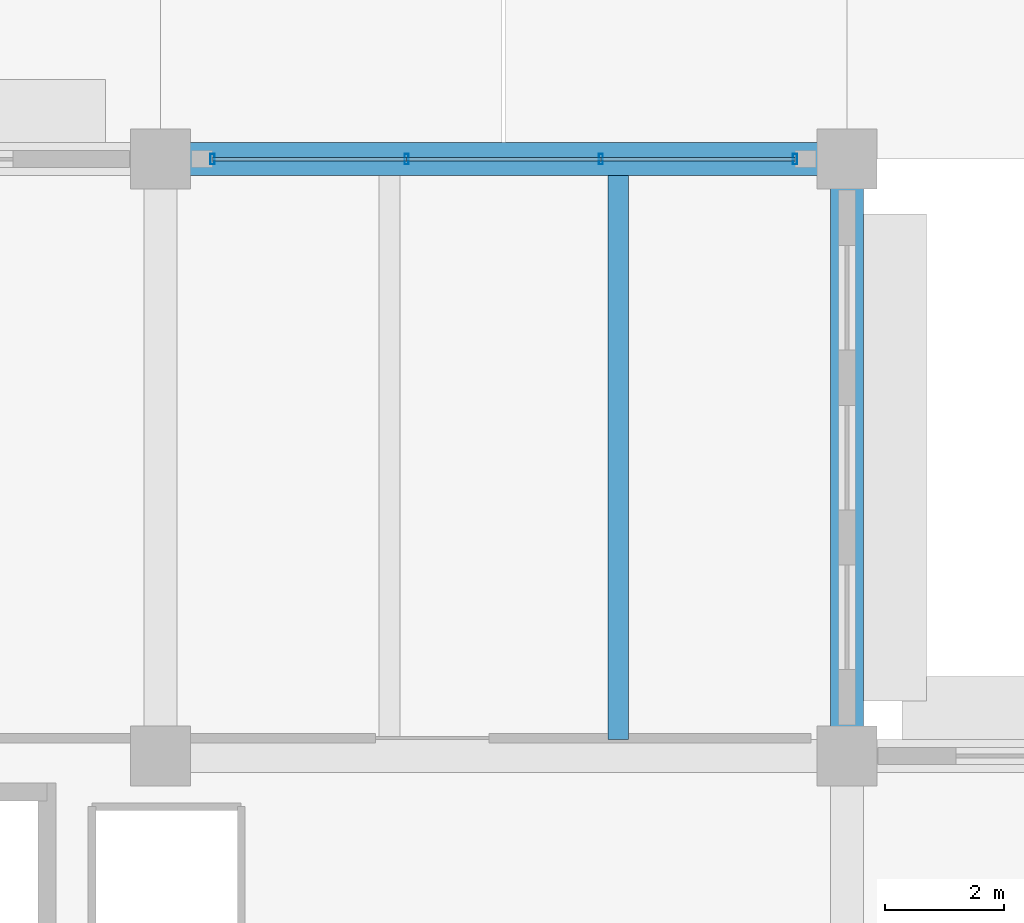
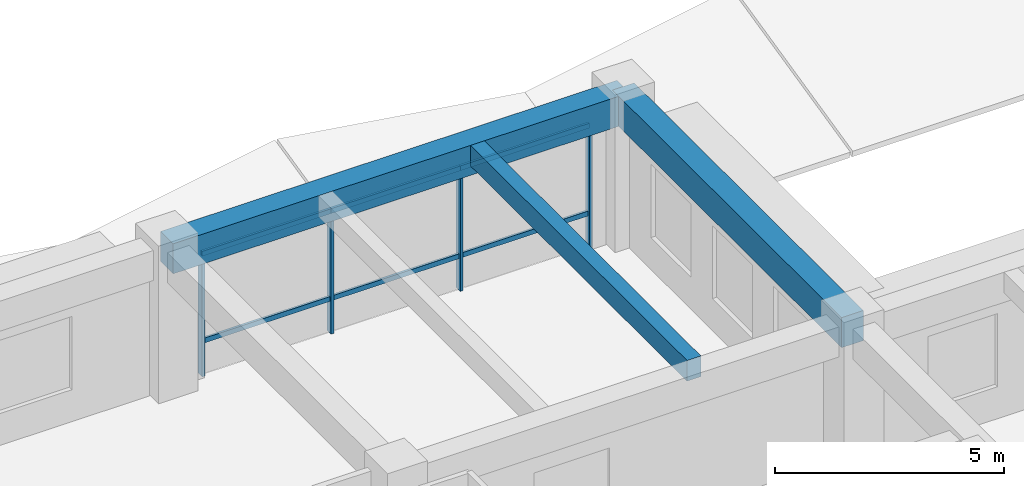
# One storey, part 29 of 98: 10 members, 3 beams, 1 element without a shape of its own.
"""IFC4 building model written with IfcOpenShell, lengths in metres."""

from ifc_helpers import new_model, si_unit, direction, frame, origin, origin_2d, place, context, subcontext, project, spatial, rectangle, hollow_rectangle, extrude, material, material_profile, profile_set, type_object, element, aggregate, save


model = new_model("IFC4")

# Units and contexts
model_context = context("Model", 3, precision=1e-05, world=origin(), true_north=direction((0.0, 1.0)))
body_context = subcontext(model_context, "Body", "Model", "MODEL_VIEW")
ifc_project = project(units=[si_unit("LENGTHUNIT", "METRE"), si_unit("AREAUNIT", "SQUARE_METRE"), si_unit("VOLUMEUNIT", "CUBIC_METRE"), si_unit("PLANEANGLEUNIT", "RADIAN"), si_unit("MASSUNIT", "GRAM", prefix="KILO")], contexts=[model_context])

# Site, building, storey
site_placement = place(None, origin())
site = spatial("IfcSite", under=ifc_project, at=site_placement, CompositionType="ELEMENT")
building_placement = place(site_placement, origin())
building = spatial("IfcBuilding", under=site, at=building_placement, Name="Ologun Quay Terminus", CompositionType="ELEMENT")
storey_placement = place(building_placement, frame((0.0, 0.0, 4.199951171875)))
storey = spatial("IfcBuildingStorey", under=building, at=storey_placement, Name="L01", CompositionType="ELEMENT", Elevation=4.199951171875)

# Beams
ifc_material_1 = material(Name="Concrete C40/50", Category="concrete")
ifc_material_profile_1 = material_profile(ifc_material_1, rectangle(XDim=0.550048828125, YDim=0.800048828125, at=origin_2d()), Name="RC 550x800")
ifc_profile_set_1 = profile_set([ifc_material_profile_1], Name="Concrete C40/50")
beam_type_1 = type_object("IfcBeamType", Name="Courtyard Wing Primary Girder 550x800", PredefinedType="BEAM", material=ifc_profile_set_1)
beam_1_placement = place(storey_placement, frame((34.5, 114.800048828125, 3.550048828125), z_axis=(1.0, 0.0, 0.0), x_axis=(0.0, 1.0, 0.0)))
element("IfcBeam", 1, at=beam_1_placement, inside=storey, type_object=beam_type_1, Name="B4 Beam 4/K L01", PredefinedType="BEAM", context=body_context, shape_type="SweptSolid", body=[
    extrude(rectangle(XDim=0.550048828125, YDim=0.800048828125, at=origin_2d()), origin(), (0.0, 0.0, 1.0), 11.5),
])
beam_2_placement = place(storey_placement, frame((46.0, 104.800048828125, 3.550048828125), z_axis=(0.0, 1.0, 0.0), x_axis=(-1.0, 0.0, 0.0)))
element("IfcBeam", 2, at=beam_2_placement, inside=storey, type_object=beam_type_1, Name="B4 Beam 5/J L01", PredefinedType="BEAM", context=body_context, shape_type="SweptSolid", body=[
    extrude(rectangle(XDim=0.550048828125, YDim=0.800048828125, at=origin_2d()), origin(), (0.0, 0.0, 1.0), 10.0),
])
ifc_material_2 = material(Name="Concrete C40/50", Category="concrete")
ifc_material_profile_2 = material_profile(ifc_material_2, rectangle(XDim=0.35009765625, YDim=0.550048828125, at=origin_2d()), Name="RC 350x550")
ifc_profile_set_2 = profile_set([ifc_material_profile_2], Name="Concrete C40/50")
beam_type_2 = type_object("IfcBeamType", Name="Courtyard Wing Secondary Joist 350x550", PredefinedType="JOIST", material=ifc_profile_set_2)
beam_3_placement = place(storey_placement, frame((42.166748046875, 105.074951171875, 3.675048828125), z_axis=(0.0, 1.0, 0.0), x_axis=(-1.0, 0.0, 0.0)))
element("IfcBeam", 3, at=beam_3_placement, inside=storey, type_object=beam_type_2, Name="J2 Beam 4/J L01", PredefinedType="JOIST", context=body_context, shape_type="SweptSolid", body=[
    extrude(rectangle(XDim=0.35009765625, YDim=0.550048828125, at=origin_2d()), origin(), (0.0, 0.0, 1.0), 9.449951171875),
])

# Curtain wall, members
ifc_material_3 = material(Name="Aluminium 6063-T6", Category="aluminium")
curtain_wall_type = type_object("IfcCurtainWallType", Name="Waterfront Pavilion Harbour Curtain Wall L01 10500x3850", PredefinedType="USERDEFINED", material=ifc_material_3)
curtain_wall_placement = place(storey_placement, origin())
curtain_wall = element("IfcCurtainWall", 4, at=curtain_wall_placement, inside=storey, type_object=curtain_wall_type, Name="CW-23 Curtain Wall CW-L01-102", ObjectType="UNITISED CURTAIN WALL", PredefinedType="USERDEFINED")
ifc_material_4 = material(Name="Aluminium 6063-T6", Category="aluminium")
ifc_material_profile_3 = material_profile(ifc_material_4, hollow_rectangle(XDim=0.070068359375, YDim=0.179931640625, WallThickness=0.0048828125, at=origin_2d()), Name="ALU 180x70x5")
ifc_profile_set_3 = profile_set([ifc_material_profile_3], Name="Aluminium 6063-T6")
member_type_1 = type_object("IfcMemberType", Name="Curtain Wall Heavy Mullion 180x70", PredefinedType="MULLION", material=ifc_profile_set_3)
member_1_placement = place(storey_placement, frame((35.3701171875, 114.800048828125, 0.0), z_axis=(0.0, 0.0, 1.0), x_axis=(1.0, 0.0, 0.0)))
member_1 = element("IfcMember", 5, at=member_1_placement, type_object=member_type_1, Name="CW-L01-102 Mullion 1", PredefinedType="MULLION", context=body_context, shape_type="SweptSolid", body=[
    extrude(hollow_rectangle(XDim=0.070068359375, YDim=0.179931640625, WallThickness=0.0048828125, at=origin_2d()), origin(), (0.0, 0.0, 1.0), 3.929931640625),
])
member_2_placement = place(storey_placement, frame((38.623291015625, 114.800048828125, 0.0), z_axis=(0.0, 0.0, 1.0), x_axis=(1.0, 0.0, 0.0)))
member_2 = element("IfcMember", 6, at=member_2_placement, type_object=member_type_1, Name="CW-L01-102 Mullion 2", PredefinedType="MULLION", context=body_context, shape_type="SweptSolid", body=[
    extrude(hollow_rectangle(XDim=0.070068359375, YDim=0.179931640625, WallThickness=0.0048828125, at=origin_2d()), origin(), (0.0, 0.0, 1.0), 3.929931640625),
])
member_3_placement = place(storey_placement, frame((41.876708984375, 114.800048828125, 0.0), z_axis=(0.0, 0.0, 1.0), x_axis=(1.0, 0.0, 0.0)))
member_3 = element("IfcMember", 7, at=member_3_placement, type_object=member_type_1, Name="CW-L01-102 Mullion 3", PredefinedType="MULLION", context=body_context, shape_type="SweptSolid", body=[
    extrude(hollow_rectangle(XDim=0.070068359375, YDim=0.179931640625, WallThickness=0.0048828125, at=origin_2d()), origin(), (0.0, 0.0, 1.0), 3.929931640625),
])
member_4_placement = place(storey_placement, frame((45.1298828125, 114.800048828125, 0.0), z_axis=(0.0, 0.0, 1.0), x_axis=(1.0, 0.0, 0.0)))
member_4 = element("IfcMember", 8, at=member_4_placement, type_object=member_type_1, Name="CW-L01-102 Mullion 4", PredefinedType="MULLION", context=body_context, shape_type="SweptSolid", body=[
    extrude(hollow_rectangle(XDim=0.070068359375, YDim=0.179931640625, WallThickness=0.0048828125, at=origin_2d()), origin(), (0.0, 0.0, 1.0), 3.929931640625),
])
ifc_material_5 = material(Name="Aluminium 6063-T6", Category="aluminium")
ifc_material_profile_4 = material_profile(ifc_material_5, hollow_rectangle(XDim=0.06005859375, YDim=0.1298828125, WallThickness=0.00390625, at=origin_2d()), Name="ALU 130x60x4")
ifc_profile_set_4 = profile_set([ifc_material_profile_4], Name="Aluminium 6063-T6")
member_type_2 = type_object("IfcMemberType", Name="Curtain Wall Heavy Transom 130x60", PredefinedType="USERDEFINED", material=ifc_profile_set_4)
member_5_placement = place(storey_placement, frame((35.3701171875, 114.800048828125, 0.900146484375), z_axis=(1.0, 0.0, 0.0), x_axis=(0.0, 1.0, 0.0)))
member_5 = element("IfcMember", 9, at=member_5_placement, type_object=member_type_2, Name="CW-L01-102 Transom B1-1", ObjectType="TRANSOM", PredefinedType="USERDEFINED", context=body_context, shape_type="SweptSolid", body=[
    extrude(hollow_rectangle(XDim=0.06005859375, YDim=0.1298828125, WallThickness=0.00390625, at=origin_2d()), origin(), (0.0, 0.0, 1.0), 3.253173828125),
])
member_6_placement = place(storey_placement, frame((35.3701171875, 114.800048828125, 3.22998046875), z_axis=(1.0, 0.0, 0.0), x_axis=(0.0, 1.0, 0.0)))
member_6 = element("IfcMember", 10, at=member_6_placement, type_object=member_type_2, Name="CW-L01-102 Transom B1-2", ObjectType="TRANSOM", PredefinedType="USERDEFINED", context=body_context, shape_type="SweptSolid", body=[
    extrude(hollow_rectangle(XDim=0.06005859375, YDim=0.1298828125, WallThickness=0.00390625, at=origin_2d()), origin(), (0.0, 0.0, 1.0), 3.253173828125),
])
member_7_placement = place(storey_placement, frame((38.623291015625, 114.800048828125, 0.900146484375), z_axis=(1.0, 0.0, 0.0), x_axis=(0.0, 1.0, 0.0)))
member_7 = element("IfcMember", 11, at=member_7_placement, type_object=member_type_2, Name="CW-L01-102 Transom B2-1", ObjectType="TRANSOM", PredefinedType="USERDEFINED", context=body_context, shape_type="SweptSolid", body=[
    extrude(hollow_rectangle(XDim=0.06005859375, YDim=0.1298828125, WallThickness=0.00390625, at=origin_2d()), origin(), (0.0, 0.0, 1.0), 3.25341796875),
])
member_8_placement = place(storey_placement, frame((38.623291015625, 114.800048828125, 3.22998046875), z_axis=(1.0, 0.0, 0.0), x_axis=(0.0, 1.0, 0.0)))
member_8 = element("IfcMember", 12, at=member_8_placement, type_object=member_type_2, Name="CW-L01-102 Transom B2-2", ObjectType="TRANSOM", PredefinedType="USERDEFINED", context=body_context, shape_type="SweptSolid", body=[
    extrude(hollow_rectangle(XDim=0.06005859375, YDim=0.1298828125, WallThickness=0.00390625, at=origin_2d()), origin(), (0.0, 0.0, 1.0), 3.25341796875),
])
member_9_placement = place(storey_placement, frame((41.876708984375, 114.800048828125, 0.900146484375), z_axis=(1.0, 0.0, 0.0), x_axis=(0.0, 1.0, 0.0)))
member_9 = element("IfcMember", 13, at=member_9_placement, type_object=member_type_2, Name="CW-L01-102 Transom B3-1", ObjectType="TRANSOM", PredefinedType="USERDEFINED", context=body_context, shape_type="SweptSolid", body=[
    extrude(hollow_rectangle(XDim=0.06005859375, YDim=0.1298828125, WallThickness=0.00390625, at=origin_2d()), origin(), (0.0, 0.0, 1.0), 3.253173828125),
])
member_10_placement = place(storey_placement, frame((41.876708984375, 114.800048828125, 3.22998046875), z_axis=(1.0, 0.0, 0.0), x_axis=(0.0, 1.0, 0.0)))
member_10 = element("IfcMember", 14, at=member_10_placement, type_object=member_type_2, Name="CW-L01-102 Transom B3-2", ObjectType="TRANSOM", PredefinedType="USERDEFINED", context=body_context, shape_type="SweptSolid", body=[
    extrude(hollow_rectangle(XDim=0.06005859375, YDim=0.1298828125, WallThickness=0.00390625, at=origin_2d()), origin(), (0.0, 0.0, 1.0), 3.253173828125),
])
aggregate(curtain_wall, [member_1, member_2, member_3, member_4, member_5, member_6, member_7, member_8, member_9, member_10])

save(model, "model.ifc")
